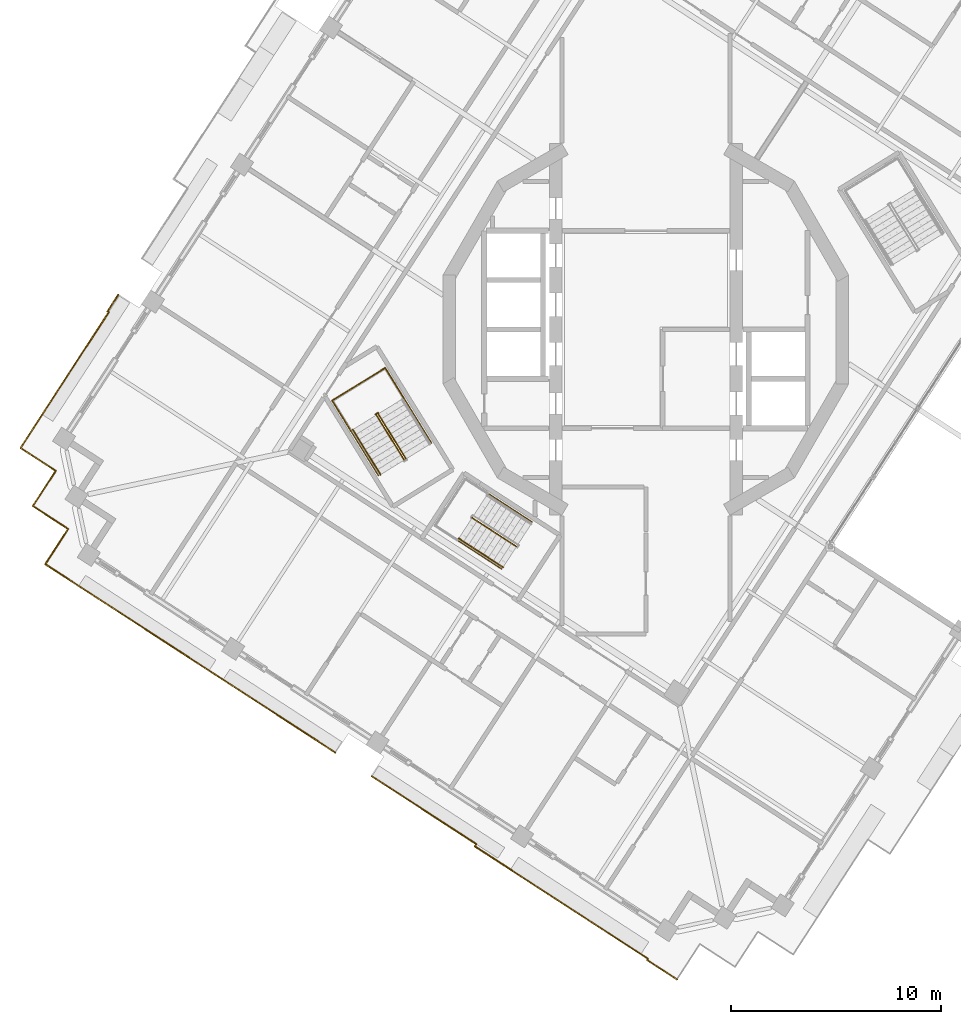
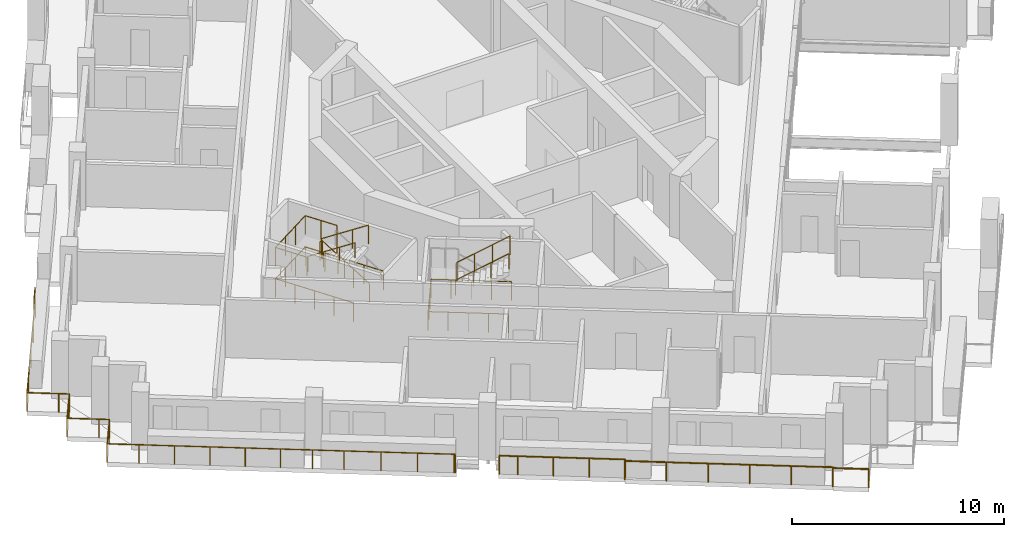
# One storey, part 13 of 17: 11 railings.
"""IFC4 building model written with IfcOpenShell, lengths in metres."""

from ifc_helpers import new_model, si_unit, direction, frame, origin, origin_2d, place, context, subcontext, project, spatial, circle, extrude, material, type_object, element, save


model = new_model("IFC4")

# Units and contexts
model_context = context("Model", 3, precision=1e-05, world=origin(), true_north=direction((0.0, 1.0)))
body_context = subcontext(model_context, "Body", "Model", "MODEL_VIEW")
ifc_project = project(units=[si_unit("LENGTHUNIT", "METRE"), si_unit("AREAUNIT", "SQUARE_METRE"), si_unit("VOLUMEUNIT", "CUBIC_METRE"), si_unit("PLANEANGLEUNIT", "RADIAN"), si_unit("MASSUNIT", "GRAM", prefix="KILO")], contexts=[model_context])

# Site, building, storey
site_placement = place(None, origin())
site = spatial("IfcSite", under=ifc_project, at=site_placement, CompositionType="ELEMENT")
building_placement = place(site_placement, origin())
building = spatial("IfcBuilding", under=site, at=building_placement, Name="Cantera Rosa Tower", CompositionType="ELEMENT")
storey_placement = place(building_placement, frame((0.0, 0.0, 268.5)))
storey = spatial("IfcBuildingStorey", under=building, at=storey_placement, Name="L60", CompositionType="ELEMENT", Elevation=268.5)

# Railings
ifc_material_1 = material(Name="Stainless steel and laminated glass", Category="steel")
railing_type_1 = type_object("IfcRailingType", Name="GUARD 1100", PredefinedType="BALUSTRADE", material=ifc_material_1)
railing_1_placement = place(storey_placement, frame((-28.3720703125, -7.151123046875, 0.0)))
element("IfcRailing", 1, at=railing_1_placement, inside=storey, type_object=railing_type_1, Name="GUARD L60-1", PredefinedType="BALUSTRADE", context=body_context, shape_type="SweptSolid", body=[
    extrude(circle(Radius=0.030029296875, at=origin_2d()), frame((0.0, 0.0, 1.070068359375), z_axis=(0.544627753175, 0.83867789435, 0.0), x_axis=(-0.83867789435, 0.544627753175, 0.0)), (0.0, 0.0, 1.0), 0.499755859375),
    extrude(circle(Radius=0.030029296875, at=origin_2d()), frame((0.272216796875, 0.419189453125, 1.070068359375), z_axis=(-0.838454772945, 0.544971186143, 0.0), x_axis=(-0.544971186143, -0.838454772945, 0.0)), (0.0, 0.0, 1.0), 0.5),
    extrude(circle(Radius=0.030029296875, at=origin_2d()), frame((-0.14697265625, 0.691650390625, 1.070068359375), z_axis=(-0.8387001057, 0.544593548161, 0.0), x_axis=(-0.544593548161, -0.8387001057, 0.0)), (0.0, 0.0, 1.0), 1.5),
    extrude(circle(Radius=0.030029296875, at=origin_2d()), frame((-1.405029296875, 1.508544921875, 1.070068359375), z_axis=(0.544593548161, 0.8387001057, 0.0), x_axis=(-0.8387001057, 0.544593548161, 0.0)), (0.0, 0.0, 1.0), 1.5),
    extrude(circle(Radius=0.030029296875, at=origin_2d()), frame((-0.588134765625, 2.7666015625, 1.070068359375), z_axis=(0.544651062083, 0.838662757354, 0.0), x_axis=(-0.838662757354, 0.544651062083, 0.0)), (0.0, 0.0, 1.0), 6.208740234375),
    extrude(circle(Radius=0.030029296875, at=origin_2d()), frame((2.79345703125, 7.9736328125, 1.070068359375), z_axis=(-0.839844835389, 0.542826539947, 0.0), x_axis=(-0.542826539947, -0.839844835389, 0.0)), (0.0, 0.0, 1.0), 0.071533203125),
    extrude(circle(Radius=0.030029296875, at=origin_2d()), frame((2.7333984375, 8.012451171875, 1.070068359375), z_axis=(0.544605442853, 0.838692381994, 0.0), x_axis=(-0.838692381994, 0.544605442853, 0.0)), (0.0, 0.0, 1.0), 0.94140625),
    extrude(circle(Radius=0.02490234375, at=origin_2d()), origin(), (0.0, 0.0, 1.0), 1.0400390625),
    extrude(circle(Radius=0.02490234375, at=origin_2d()), frame((0.272216796875, 0.419189453125, 0.0)), (0.0, 0.0, 1.0), 1.0400390625),
    extrude(circle(Radius=0.02490234375, at=origin_2d()), frame((-0.14697265625, 0.691650390625, 0.0)), (0.0, 0.0, 1.0), 1.0400390625),
    extrude(circle(Radius=0.02490234375, at=origin_2d()), frame((-1.405029296875, 1.508544921875, 0.0)), (0.0, 0.0, 1.0), 1.0400390625),
    extrude(circle(Radius=0.02490234375, at=origin_2d()), frame((-0.588134765625, 2.7666015625, 0.0)), (0.0, 0.0, 1.0), 1.0400390625),
    extrude(circle(Radius=0.02490234375, at=origin_2d()), frame((0.5390625, 4.502197265625, 0.0)), (0.0, 0.0, 1.0), 1.0400390625),
    extrude(circle(Radius=0.02490234375, at=origin_2d()), frame((1.666259765625, 6.238037109375, 0.0)), (0.0, 0.0, 1.0), 1.0400390625),
    extrude(circle(Radius=0.02490234375, at=origin_2d()), frame((2.79345703125, 7.9736328125, 0.0)), (0.0, 0.0, 1.0), 1.0400390625),
    extrude(circle(Radius=0.02490234375, at=origin_2d()), frame((2.7333984375, 8.012451171875, 0.0)), (0.0, 0.0, 1.0), 1.0400390625),
    extrude(circle(Radius=0.02490234375, at=origin_2d()), frame((3.24609375, 8.802001953125, 0.0)), (0.0, 0.0, 1.0), 1.0400390625),
])
railing_2_placement = place(storey_placement, frame((-14.7880859375, -20.14599609375, 0.0)))
element("IfcRailing", 2, at=railing_2_placement, inside=storey, type_object=railing_type_1, Name="GUARD L60-2", PredefinedType="BALUSTRADE", context=body_context, shape_type="SweptSolid", body=[
    extrude(circle(Radius=0.030029296875, at=origin_2d()), frame((0.0, 0.0, 1.070068359375), z_axis=(-0.838443616301, 0.544988350595, 0.0), x_axis=(-0.544988350595, -0.838443616301, 0.0)), (0.0, 0.0, 1.0), 0.06982421875),
    extrude(circle(Radius=0.030029296875, at=origin_2d()), frame((-0.05859375, 0.0380859375, 1.070068359375), z_axis=(-0.838657010828, 0.544659910576, 0.0), x_axis=(-0.544659910576, -0.838657010828, 0.0)), (0.0, 0.0, 1.0), 5.2001953125),
    extrude(circle(Radius=0.030029296875, at=origin_2d()), frame((-4.419677734375, 2.870361328125, 1.070068359375), z_axis=(-0.8387001057, 0.544593548161, 0.0), x_axis=(-0.544593548161, -0.8387001057, 0.0)), (0.0, 0.0, 1.0), 3.0),
    extrude(circle(Radius=0.030029296875, at=origin_2d()), frame((-6.935791015625, 4.504150390625, 1.070068359375), z_axis=(-0.838666659313, 0.544645053734, 0.0), x_axis=(-0.544645053734, -0.838666659313, 0.0)), (0.0, 0.0, 1.0), 6.7001953125),
    extrude(circle(Radius=0.030029296875, at=origin_2d()), frame((-12.554931640625, 8.1533203125, 1.070068359375), z_axis=(-0.838651824232, 0.544667896716, 0.0), x_axis=(-0.544667896716, -0.838651824232, 0.0)), (0.0, 0.0, 1.0), 1.499755859375),
    extrude(circle(Radius=0.030029296875, at=origin_2d()), frame((-13.812744140625, 8.97021484375, 1.070068359375), z_axis=(0.544593548161, 0.8387001057, 0.0), x_axis=(-0.8387001057, 0.544593548161, 0.0)), (0.0, 0.0, 1.0), 1.5),
    extrude(circle(Radius=0.030029296875, at=origin_2d()), frame((-12.995849609375, 10.228271484375, 1.070068359375), z_axis=(0.544627753175, 0.83867789435, 0.0), x_axis=(-0.83867789435, 0.544627753175, 0.0)), (0.0, 0.0, 1.0), 0.499755859375),
    extrude(circle(Radius=0.030029296875, at=origin_2d()), frame((-12.7236328125, 10.6474609375, 1.070068359375), z_axis=(-0.838454772945, 0.544971186143, 0.0), x_axis=(-0.544971186143, -0.838454772945, 0.0)), (0.0, 0.0, 1.0), 0.5),
    extrude(circle(Radius=0.030029296875, at=origin_2d()), frame((-13.142822265625, 10.919921875, 1.070068359375), z_axis=(-0.8387001057, 0.544593548161, 0.0), x_axis=(-0.544593548161, -0.8387001057, 0.0)), (0.0, 0.0, 1.0), 1.5),
    extrude(circle(Radius=0.030029296875, at=origin_2d()), frame((-14.40087890625, 11.73681640625, 1.070068359375), z_axis=(0.544593548161, 0.8387001057, 0.0), x_axis=(-0.8387001057, 0.544593548161, 0.0)), (0.0, 0.0, 1.0), 1.5),
    extrude(circle(Radius=0.02490234375, at=origin_2d()), origin(), (0.0, 0.0, 1.0), 1.0400390625),
    extrude(circle(Radius=0.02490234375, at=origin_2d()), frame((-0.05859375, 0.0380859375, 0.0)), (0.0, 0.0, 1.0), 1.0400390625),
    extrude(circle(Radius=0.02490234375, at=origin_2d()), frame((-1.51220703125, 0.982177734375, 0.0)), (0.0, 0.0, 1.0), 1.0400390625),
    extrude(circle(Radius=0.02490234375, at=origin_2d()), frame((-2.966064453125, 1.92626953125, 0.0)), (0.0, 0.0, 1.0), 1.0400390625),
    extrude(circle(Radius=0.02490234375, at=origin_2d()), frame((-4.419677734375, 2.870361328125, 0.0)), (0.0, 0.0, 1.0), 1.0400390625),
    extrude(circle(Radius=0.02490234375, at=origin_2d()), frame((-5.677734375, 3.687255859375, 0.0)), (0.0, 0.0, 1.0), 1.0400390625),
    extrude(circle(Radius=0.02490234375, at=origin_2d()), frame((-6.935791015625, 4.504150390625, 0.0)), (0.0, 0.0, 1.0), 1.0400390625),
    extrude(circle(Radius=0.02490234375, at=origin_2d()), frame((-8.340576171875, 5.41650390625, 0.0)), (0.0, 0.0, 1.0), 1.0400390625),
    extrude(circle(Radius=0.02490234375, at=origin_2d()), frame((-9.745361328125, 6.32861328125, 0.0)), (0.0, 0.0, 1.0), 1.0400390625),
    extrude(circle(Radius=0.02490234375, at=origin_2d()), frame((-11.150146484375, 7.240966796875, 0.0)), (0.0, 0.0, 1.0), 1.0400390625),
    extrude(circle(Radius=0.02490234375, at=origin_2d()), frame((-12.554931640625, 8.1533203125, 0.0)), (0.0, 0.0, 1.0), 1.0400390625),
    extrude(circle(Radius=0.02490234375, at=origin_2d()), frame((-13.812744140625, 8.97021484375, 0.0)), (0.0, 0.0, 1.0), 1.0400390625),
    extrude(circle(Radius=0.02490234375, at=origin_2d()), frame((-12.995849609375, 10.228271484375, 0.0)), (0.0, 0.0, 1.0), 1.0400390625),
    extrude(circle(Radius=0.02490234375, at=origin_2d()), frame((-12.7236328125, 10.6474609375, 0.0)), (0.0, 0.0, 1.0), 1.0400390625),
    extrude(circle(Radius=0.02490234375, at=origin_2d()), frame((-13.142822265625, 10.919921875, 0.0)), (0.0, 0.0, 1.0), 1.0400390625),
    extrude(circle(Radius=0.02490234375, at=origin_2d()), frame((-14.40087890625, 11.73681640625, 0.0)), (0.0, 0.0, 1.0), 1.0400390625),
    extrude(circle(Radius=0.02490234375, at=origin_2d()), frame((-13.583984375, 12.994873046875, 0.0)), (0.0, 0.0, 1.0), 1.0400390625),
])
railing_3_placement = place(storey_placement, frame((1.482177734375, -30.950439453125, 0.0)))
element("IfcRailing", 3, at=railing_3_placement, inside=storey, type_object=railing_type_1, Name="GUARD L60-5", PredefinedType="BALUSTRADE", context=body_context, shape_type="SweptSolid", body=[
    extrude(circle(Radius=0.030029296875, at=origin_2d()), frame((0.0, 0.0, 1.070068359375), z_axis=(-0.838663412569, 0.54465005317, 0.0), x_axis=(-0.54465005317, -0.838663412569, 0.0)), (0.0, 0.0, 1.0), 1.69970703125),
    extrude(circle(Radius=0.030029296875, at=origin_2d()), frame((-1.425537109375, 0.92578125, 1.070068359375), z_axis=(0.54339569987, 0.839476690184, 0.0), x_axis=(-0.839476690184, 0.54339569987, 0.0)), (0.0, 0.0, 1.0), 0.070068359375),
    extrude(circle(Radius=0.030029296875, at=origin_2d()), frame((-1.387451171875, 0.984619140625, 1.070068359375), z_axis=(-0.838672787013, 0.544635617935, 0.0), x_axis=(-0.544635617935, -0.838672787013, 0.0)), (0.0, 0.0, 1.0), 9.830078125),
    extrude(circle(Radius=0.030029296875, at=origin_2d()), frame((-9.631591796875, 6.33837890625, 1.070068359375), z_axis=(0.545120486239, 0.83835771332, 0.0), x_axis=(-0.83835771332, 0.545120486239, 0.0)), (0.0, 0.0, 1.0), 0.1298828125),
    extrude(circle(Radius=0.030029296875, at=origin_2d()), frame((-9.560791015625, 6.447265625, 1.070068359375), z_axis=(-0.838664674471, 0.544648110062, 0.0), x_axis=(-0.544648110062, -0.838664674471, 0.0)), (0.0, 0.0, 1.0), 5.0703125),
    extrude(circle(Radius=0.030029296875, at=origin_2d()), frame((-13.81298828125, 9.208740234375, 1.070068359375), z_axis=(-0.838725681888, 0.544554157584, 0.0), x_axis=(-0.544554157584, -0.838725681888, 0.0)), (0.0, 0.0, 1.0), 0.869873046875),
    extrude(circle(Radius=0.02490234375, at=origin_2d()), origin(), (0.0, 0.0, 1.0), 1.0400390625),
    extrude(circle(Radius=0.02490234375, at=origin_2d()), frame((-1.425537109375, 0.92578125, 0.0)), (0.0, 0.0, 1.0), 1.0400390625),
    extrude(circle(Radius=0.02490234375, at=origin_2d()), frame((-1.387451171875, 0.984619140625, 0.0)), (0.0, 0.0, 1.0), 1.0400390625),
    extrude(circle(Radius=0.02490234375, at=origin_2d()), frame((-3.036376953125, 2.055419921875, 0.0)), (0.0, 0.0, 1.0), 1.0400390625),
    extrude(circle(Radius=0.02490234375, at=origin_2d()), frame((-4.68505859375, 3.126220703125, 0.0)), (0.0, 0.0, 1.0), 1.0400390625),
    extrude(circle(Radius=0.02490234375, at=origin_2d()), frame((-6.333984375, 4.19677734375, 0.0)), (0.0, 0.0, 1.0), 1.0400390625),
    extrude(circle(Radius=0.02490234375, at=origin_2d()), frame((-7.982666015625, 5.267578125, 0.0)), (0.0, 0.0, 1.0), 1.0400390625),
    extrude(circle(Radius=0.02490234375, at=origin_2d()), frame((-9.631591796875, 6.33837890625, 0.0)), (0.0, 0.0, 1.0), 1.0400390625),
    extrude(circle(Radius=0.02490234375, at=origin_2d()), frame((-9.560791015625, 6.447265625, 0.0)), (0.0, 0.0, 1.0), 1.0400390625),
    extrude(circle(Radius=0.02490234375, at=origin_2d()), frame((-10.978271484375, 7.36767578125, 0.0)), (0.0, 0.0, 1.0), 1.0400390625),
    extrude(circle(Radius=0.02490234375, at=origin_2d()), frame((-12.3955078125, 8.288330078125, 0.0)), (0.0, 0.0, 1.0), 1.0400390625),
    extrude(circle(Radius=0.02490234375, at=origin_2d()), frame((-13.81298828125, 9.208740234375, 0.0)), (0.0, 0.0, 1.0), 1.0400390625),
    extrude(circle(Radius=0.02490234375, at=origin_2d()), frame((-14.54248046875, 9.682373046875, 0.0)), (0.0, 0.0, 1.0), 1.0400390625),
])
ifc_material_2 = material(Name="Steel S355J2 (EN 10025-2)", Category="steel")
railing_type_2 = type_object("IfcRailingType", Name="STAIR GUARD 1100", PredefinedType="GUARDRAIL", material=ifc_material_2)
railing_4_placement = place(storey_placement, frame((-11.42333984375, -6.165771484375, 0.179931640625)))
element("IfcRailing", 4, at=railing_4_placement, inside=storey, type_object=railing_type_2, Name="L60 ST-52 stair guard 1", PredefinedType="GUARDRAIL", context=body_context, shape_type="SweptSolid", body=[
    extrude(circle(Radius=0.02392578125, at=origin_2d()), frame((0.0, 0.0, 1.076171875), z_axis=(-0.441609067481, 0.715913574058, 0.540785711718), x_axis=(-0.851102330005, -0.524999832248, 0.0)), (0.0, 0.0, 1.0), 2.995849609375),
    extrude(circle(Radius=0.02392578125, at=origin_2d()), frame((-1.322998046875, 2.144775390625, 2.6962890625), z_axis=(-0.073711968402, 0.997279572494, 0.0), x_axis=(-0.997279572494, -0.073711968402, 0.0)), (0.0, 0.0, 1.0), 0.056396484375),
    extrude(circle(Radius=0.02392578125, at=origin_2d()), frame((-1.3271484375, 2.200927734375, 2.6962890625), z_axis=(-0.851546489876, -0.524279100842, 0.0), x_axis=(0.524279100842, -0.851546489876, 0.0)), (0.0, 0.0, 1.0), 0.14990234375),
    extrude(circle(Radius=0.02099609375, at=origin_2d()), origin(), (0.0, 0.0, 1.0), 1.052001953125),
    extrude(circle(Radius=0.02099609375, at=origin_2d()), frame((-0.44091796875, 0.71484375, 0.5400390625)), (0.0, 0.0, 1.0), 1.052001953125),
    extrude(circle(Radius=0.02099609375, at=origin_2d()), frame((-0.882080078125, 1.429931640625, 1.080078125)), (0.0, 0.0, 1.0), 1.052001953125),
    extrude(circle(Radius=0.02099609375, at=origin_2d()), frame((-1.322998046875, 2.144775390625, 1.6201171875)), (0.0, 0.0, 1.0), 1.052001953125),
    extrude(circle(Radius=0.02099609375, at=origin_2d()), frame((-1.3271484375, 2.200927734375, 1.6201171875)), (0.0, 0.0, 1.0), 1.052001953125),
    extrude(circle(Radius=0.02099609375, at=origin_2d()), frame((-1.454833984375, 2.122314453125, 1.6201171875)), (0.0, 0.0, 1.0), 1.052001953125),
])
railing_5_placement = place(storey_placement, frame((-12.82958984375, -4.072509765625, 1.97998046875)))
element("IfcRailing", 5, at=railing_5_placement, inside=storey, type_object=railing_type_2, Name="L60 ST-52 stair guard 2", PredefinedType="GUARDRAIL", context=body_context, shape_type="SweptSolid", body=[
    extrude(circle(Radius=0.02392578125, at=origin_2d()), frame((0.0, 0.0, 1.076171875), z_axis=(0.44154346381, -0.715939337315, 0.540805172729), x_axis=(0.851145618652, 0.524929648476, 0.0)), (0.0, 0.0, 1.0), 2.995849609375),
    extrude(circle(Radius=0.02099609375, at=origin_2d()), origin(), (0.0, 0.0, 1.0), 1.052001953125),
    extrude(circle(Radius=0.02099609375, at=origin_2d()), frame((0.44091796875, -0.71484375, 0.5400390625)), (0.0, 0.0, 1.0), 1.052001953125),
    extrude(circle(Radius=0.02099609375, at=origin_2d()), frame((0.8818359375, -1.429931640625, 1.080078125)), (0.0, 0.0, 1.0), 1.052001953125),
    extrude(circle(Radius=0.02099609375, at=origin_2d()), frame((1.32275390625, -2.144775390625, 1.6201171875)), (0.0, 0.0, 1.0), 1.052001953125),
])
railing_6_placement = place(storey_placement, frame((-10.20751953125, -5.40185546875, 0.0)))
element("IfcRailing", 6, at=railing_6_placement, inside=storey, type_object=railing_type_2, Name="L60 ST-52 stair guard 4", PredefinedType="GUARDRAIL", context=body_context, shape_type="SweptSolid", body=[
    extrude(circle(Radius=0.02392578125, at=origin_2d()), frame((0.0, 0.0, 1.076171875), z_axis=(-0.524976478809, 0.851116735059, 0.0), x_axis=(-0.851116735059, -0.524976478809, 0.0)), (0.0, 0.0, 1.0), 4.197998046875),
    extrude(circle(Radius=0.02392578125, at=origin_2d()), frame((-2.203857421875, 3.572998046875, 1.076171875), z_axis=(-0.851132917336, -0.524950242429, 0.0), x_axis=(0.524950242429, -0.851132917336, 0.0)), (0.0, 0.0, 1.0), 2.969970703125),
    extrude(circle(Radius=0.02392578125, at=origin_2d()), frame((-4.731689453125, 2.013916015625, 1.076171875), z_axis=(0.524976478809, -0.851116735059, 0.0), x_axis=(0.851116735059, 0.524976478809, 0.0)), (0.0, 0.0, 1.0), 4.197998046875),
    extrude(circle(Radius=0.02099609375, at=origin_2d()), origin(), (0.0, 0.0, 1.0), 1.052001953125),
    extrude(circle(Radius=0.02099609375, at=origin_2d()), frame((-0.551025390625, 0.893310546875, 0.0)), (0.0, 0.0, 1.0), 1.052001953125),
    extrude(circle(Radius=0.02099609375, at=origin_2d()), frame((-1.10205078125, 1.78662109375, 0.0)), (0.0, 0.0, 1.0), 1.052001953125),
    extrude(circle(Radius=0.02099609375, at=origin_2d()), frame((-1.65283203125, 2.6796875, 0.0)), (0.0, 0.0, 1.0), 1.052001953125),
    extrude(circle(Radius=0.02099609375, at=origin_2d()), frame((-2.203857421875, 3.572998046875, 0.0)), (0.0, 0.0, 1.0), 1.052001953125),
    extrude(circle(Radius=0.02099609375, at=origin_2d()), frame((-3.04638671875, 3.05322265625, 0.0)), (0.0, 0.0, 1.0), 1.052001953125),
    extrude(circle(Radius=0.02099609375, at=origin_2d()), frame((-3.88916015625, 2.53369140625, 0.0)), (0.0, 0.0, 1.0), 1.052001953125),
    extrude(circle(Radius=0.02099609375, at=origin_2d()), frame((-4.731689453125, 2.013916015625, 0.0)), (0.0, 0.0, 1.0), 1.052001953125),
    extrude(circle(Radius=0.02099609375, at=origin_2d()), frame((-4.1806640625, 1.12060546875, 0.0)), (0.0, 0.0, 1.0), 1.052001953125),
    extrude(circle(Radius=0.02099609375, at=origin_2d()), frame((-3.6298828125, 0.2275390625, 0.0)), (0.0, 0.0, 1.0), 1.052001953125),
    extrude(circle(Radius=0.02099609375, at=origin_2d()), frame((-3.078857421875, -0.665771484375, 0.0)), (0.0, 0.0, 1.0), 1.052001953125),
    extrude(circle(Radius=0.02099609375, at=origin_2d()), frame((-2.52783203125, -1.55908203125, 0.0)), (0.0, 0.0, 1.0), 1.052001953125),
])
railing_7_placement = place(storey_placement, frame((-11.517822265625, -3.27734375, 1.800048828125)))
element("IfcRailing", 7, at=railing_7_placement, inside=storey, type_object=railing_type_2, Name="L60 ST-52 stair guard 5", PredefinedType="GUARDRAIL", context=body_context, shape_type="SweptSolid", body=[
    extrude(circle(Radius=0.02392578125, at=origin_2d()), frame((0.0, 0.0, 1.076171875), z_axis=(-0.525025534833, 0.851086474909, 0.0), x_axis=(-0.851086474909, -0.525025534833, 0.0)), (0.0, 0.0, 1.0), 1.701904296875),
    extrude(circle(Radius=0.02392578125, at=origin_2d()), frame((-0.8935546875, 1.448486328125, 1.076171875), z_axis=(-0.851132917336, -0.524950242429, 0.0), x_axis=(0.524950242429, -0.851132917336, 0.0)), (0.0, 0.0, 1.0), 2.969970703125),
    extrude(circle(Radius=0.02392578125, at=origin_2d()), frame((-3.42138671875, -0.110595703125, 1.076171875), z_axis=(0.524961441845, -0.851126009811, 0.0), x_axis=(0.851126009811, 0.524961441845, 0.0)), (0.0, 0.0, 1.0), 1.7021484375),
    extrude(circle(Radius=0.02099609375, at=origin_2d()), origin(), (0.0, 0.0, 1.0), 1.052001953125),
    extrude(circle(Radius=0.02099609375, at=origin_2d()), frame((-0.44677734375, 0.72412109375, 0.0)), (0.0, 0.0, 1.0), 1.052001953125),
    extrude(circle(Radius=0.02099609375, at=origin_2d()), frame((-0.8935546875, 1.448486328125, 0.0)), (0.0, 0.0, 1.0), 1.052001953125),
    extrude(circle(Radius=0.02099609375, at=origin_2d()), frame((-1.736083984375, 0.9287109375, 0.0)), (0.0, 0.0, 1.0), 1.052001953125),
    extrude(circle(Radius=0.02099609375, at=origin_2d()), frame((-2.578857421875, 0.4091796875, 0.0)), (0.0, 0.0, 1.0), 1.052001953125),
    extrude(circle(Radius=0.02099609375, at=origin_2d()), frame((-3.42138671875, -0.110595703125, 0.0)), (0.0, 0.0, 1.0), 1.052001953125),
    extrude(circle(Radius=0.02099609375, at=origin_2d()), frame((-2.974609375, -0.8349609375, 0.0)), (0.0, 0.0, 1.0), 1.052001953125),
    extrude(circle(Radius=0.02099609375, at=origin_2d()), frame((-2.52783203125, -1.559326171875, 0.0)), (0.0, 0.0, 1.0), 1.052001953125),
])
railing_8_placement = place(storey_placement, frame((-8.270751953125, -8.963134765625, 1.97998046875)))
element("IfcRailing", 8, at=railing_8_placement, inside=storey, type_object=railing_type_2, Name="L60 ST-53 stair guard 2", PredefinedType="GUARDRAIL", context=body_context, shape_type="SweptSolid", body=[
    extrude(circle(Radius=0.02392578125, at=origin_2d()), frame((0.0, 0.0, 1.076171875), z_axis=(0.705447416084, -0.4581007308, 0.540821286175), x_axis=(0.54462048956, 0.838682611213, 0.0)), (0.0, 0.0, 1.0), 2.99560546875),
    extrude(circle(Radius=0.02099609375, at=origin_2d()), origin(), (0.0, 0.0, 1.0), 1.052001953125),
    extrude(circle(Radius=0.02099609375, at=origin_2d()), frame((0.704345703125, -0.45751953125, 0.5400390625)), (0.0, 0.0, 1.0), 1.052001953125),
    extrude(circle(Radius=0.02099609375, at=origin_2d()), frame((1.408935546875, -0.914794921875, 1.080078125)), (0.0, 0.0, 1.0), 1.052001953125),
    extrude(circle(Radius=0.02099609375, at=origin_2d()), frame((2.11328125, -1.372314453125, 1.6201171875)), (0.0, 0.0, 1.0), 1.052001953125),
])
railing_9_placement = place(storey_placement, frame((-5.41357421875, -9.168212890625, 0.0)))
element("IfcRailing", 9, at=railing_9_placement, inside=storey, type_object=railing_type_2, Name="L60 ST-53 stair guard 4", PredefinedType="GUARDRAIL", context=body_context, shape_type="SweptSolid", body=[
    extrude(circle(Radius=0.02392578125, at=origin_2d()), frame((0.0, 0.0, 1.076171875), z_axis=(-0.838665308336, 0.544647134018, 0.0), x_axis=(-0.544647134018, -0.838665308336, 0.0)), (0.0, 0.0, 1.0), 3.798095703125),
    extrude(circle(Radius=0.02392578125, at=origin_2d()), frame((-3.185302734375, 2.068603515625, 1.076171875), z_axis=(-0.544679779991, -0.838644106442, 0.0), x_axis=(0.838644106442, -0.544679779991, 0.0)), (0.0, 0.0, 1.0), 2.670166015625),
    extrude(circle(Radius=0.02392578125, at=origin_2d()), frame((-4.6396484375, -0.170654296875, 1.076171875), z_axis=(0.838665308336, -0.544647134018, 0.0), x_axis=(0.544647134018, 0.838665308336, 0.0)), (0.0, 0.0, 1.0), 3.798095703125),
    extrude(circle(Radius=0.02099609375, at=origin_2d()), origin(), (0.0, 0.0, 1.0), 1.052001953125),
    extrude(circle(Radius=0.02099609375, at=origin_2d()), frame((-0.79638671875, 0.51708984375, 0.0)), (0.0, 0.0, 1.0), 1.052001953125),
    extrude(circle(Radius=0.02099609375, at=origin_2d()), frame((-1.5927734375, 1.0341796875, 0.0)), (0.0, 0.0, 1.0), 1.052001953125),
    extrude(circle(Radius=0.02099609375, at=origin_2d()), frame((-2.388916015625, 1.551513671875, 0.0)), (0.0, 0.0, 1.0), 1.052001953125),
    extrude(circle(Radius=0.02099609375, at=origin_2d()), frame((-3.185302734375, 2.068603515625, 0.0)), (0.0, 0.0, 1.0), 1.052001953125),
    extrude(circle(Radius=0.02099609375, at=origin_2d()), frame((-3.670166015625, 1.322265625, 0.0)), (0.0, 0.0, 1.0), 1.052001953125),
    extrude(circle(Radius=0.02099609375, at=origin_2d()), frame((-4.15478515625, 0.57568359375, 0.0)), (0.0, 0.0, 1.0), 1.052001953125),
    extrude(circle(Radius=0.02099609375, at=origin_2d()), frame((-4.6396484375, -0.170654296875, 0.0)), (0.0, 0.0, 1.0), 1.052001953125),
    extrude(circle(Radius=0.02099609375, at=origin_2d()), frame((-3.84326171875, -0.687744140625, 0.0)), (0.0, 0.0, 1.0), 1.052001953125),
    extrude(circle(Radius=0.02099609375, at=origin_2d()), frame((-3.046875, -1.205078125, 0.0)), (0.0, 0.0, 1.0), 1.052001953125),
    extrude(circle(Radius=0.02099609375, at=origin_2d()), frame((-2.250732421875, -1.72216796875, 0.0)), (0.0, 0.0, 1.0), 1.052001953125),
    extrude(circle(Radius=0.02099609375, at=origin_2d()), frame((-1.454345703125, -2.2392578125, 0.0)), (0.0, 0.0, 1.0), 1.052001953125),
])
ifc_material_3 = material(Name="Steel S355J2 (EN 10025-2)", Category="steel")
railing_type_3 = type_object("IfcRailingType", Name="STAIR HANDRAIL 900", PredefinedType="HANDRAIL", material=ifc_material_3)
railing_10_placement = place(storey_placement, frame((-13.958251953125, -4.7685546875, 1.97998046875)))
element("IfcRailing", 10, at=railing_10_placement, inside=storey, type_object=railing_type_3, Name="L60 ST-52 stair handrail 2", PredefinedType="HANDRAIL", context=body_context, shape_type="SweptSolid", body=[
    extrude(circle(Radius=0.02392578125, at=origin_2d()), frame((0.0, 0.0, 0.8759765625), z_axis=(0.441609067481, -0.715913574058, 0.540785711718), x_axis=(0.851102330005, 0.524999832248, 0.0)), (0.0, 0.0, 1.0), 2.995849609375),
    extrude(circle(Radius=0.02099609375, at=origin_2d()), origin(), (0.0, 0.0, 1.0), 0.851806640625),
    extrude(circle(Radius=0.02099609375, at=origin_2d()), frame((0.44091796875, -0.71484375, 0.5400390625)), (0.0, 0.0, 1.0), 0.851806640625),
    extrude(circle(Radius=0.02099609375, at=origin_2d()), frame((0.882080078125, -1.429931640625, 1.080078125)), (0.0, 0.0, 1.0), 0.851806640625),
    extrude(circle(Radius=0.02099609375, at=origin_2d()), frame((1.322998046875, -2.144775390625, 1.6201171875)), (0.0, 0.0, 1.0), 0.851806640625),
])
railing_11_placement = place(storey_placement, frame((-8.911376953125, -9.94921875, 1.97998046875)))
element("IfcRailing", 11, at=railing_11_placement, inside=storey, type_object=railing_type_3, Name="L60 ST-53 stair handrail 2", PredefinedType="HANDRAIL", context=body_context, shape_type="SweptSolid", body=[
    extrude(circle(Radius=0.02392578125, at=origin_2d()), frame((0.0, 0.0, 0.8759765625), z_axis=(0.705462015847, -0.458138784, 0.540770005448), x_axis=(0.544644381691, 0.838667095749, 0.0)), (0.0, 0.0, 1.0), 2.995849609375),
    extrude(circle(Radius=0.02099609375, at=origin_2d()), origin(), (0.0, 0.0, 1.0), 0.851806640625),
    extrude(circle(Radius=0.02099609375, at=origin_2d()), frame((0.70458984375, -0.45751953125, 0.5400390625)), (0.0, 0.0, 1.0), 0.851806640625),
    extrude(circle(Radius=0.02099609375, at=origin_2d()), frame((1.408935546875, -0.9150390625, 1.080078125)), (0.0, 0.0, 1.0), 0.851806640625),
    extrude(circle(Radius=0.02099609375, at=origin_2d()), frame((2.113525390625, -1.37255859375, 1.6201171875)), (0.0, 0.0, 1.0), 0.851806640625),
])

save(model, "model.ifc")
